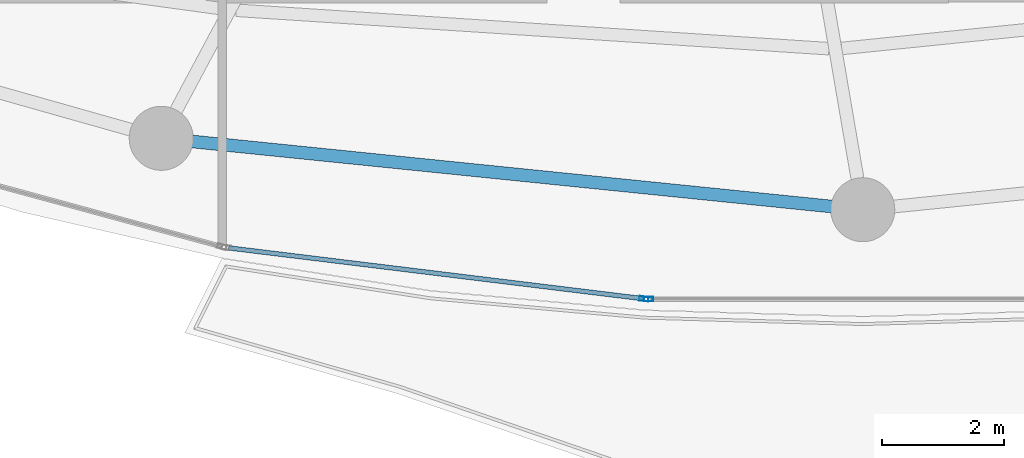
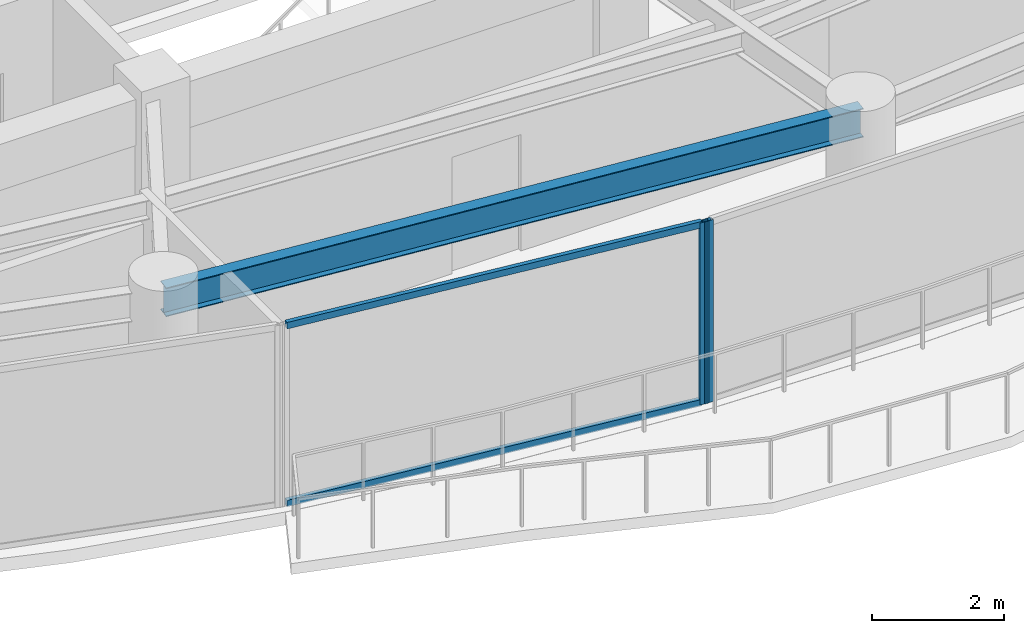
# One storey, part 6 of 30: 4 members, 1 beam, 2 elements without a shape of their own.
"""IFC4 building model written with IfcOpenShell, lengths in metres."""

import ifcopenshell
import ifcopenshell.guid

model = None  # the IFC model being written
_history = None  # IfcOwnerHistory: only IFC2X3 demands one
_inside = {}  # id of a spatial element -> (the spatial element, [elements in it])
_under = {}  # id of a project, library or spatial element -> (it, [spatial elements below it])
_declared = {}  # id of a project -> (the project, [libraries it declares])
_typed = {}  # id of a type object -> (the type object, [elements of that type])
_made_of = {}  # id of a material, layer set ... -> (it, [elements and type objects made of it])


def new_model(schema):
    """Start an empty IFC model of exactly this schema.

    Asked for "IFC4X3", IfcOpenShell would pick the latest addendum, in which some entities
    have other attributes; the version numbers below select the first issue.
    IFC2X3 requires an IfcOwnerHistory on every rooted entity: one is made here for all.
    """
    global model, _history
    if schema == "IFC4X3":
        model = ifcopenshell.file(schema_version=(4, 3, 0, 0))
    else:
        model = ifcopenshell.file(schema=schema)
    _inside.clear()
    _under.clear()
    _declared.clear()
    _typed.clear()
    _made_of.clear()
    _history = None
    if model.schema == "IFC2X3":
        org = make("IfcOrganization", Name="unknown")
        user = make(
            "IfcPersonAndOrganization",
            ThePerson=make("IfcPerson", FamilyName="unknown"),
            TheOrganization=org,
        )
        app = make(
            "IfcApplication",
            ApplicationDeveloper=org,
            Version="unknown",
            ApplicationFullName="unknown",
            ApplicationIdentifier="unknown",
        )
        _history = make(
            "IfcOwnerHistory",
            OwningUser=user,
            OwningApplication=app,
            ChangeAction="ADDED",
            CreationDate=0,
        )
    return model


def make(cls, **values):
    """One entity of the class cls with the attributes given. An attribute that is None is left unset."""
    return model.create_entity(
        cls, **{name: value for name, value in values.items() if value is not None}
    )


def rooted(cls, **values):
    """An entity with a GlobalId (a new one), such as an element, a storey or a relation."""
    return make(cls, GlobalId=ifcopenshell.guid.new(), OwnerHistory=_history, **values)


def si_unit(unit_type, name, prefix=None):
    """IfcSIUnit, for example si_unit("LENGTHUNIT", "METRE", prefix="MILLI")."""
    return make("IfcSIUnit", UnitType=unit_type, Prefix=prefix, Name=name)


def assignment(units):
    """IfcUnitAssignment: the units of a project."""
    return None if units is None else make("IfcUnitAssignment", Units=units)


def point(xyz):
    """IfcCartesianPoint."""
    return None if xyz is None else make("IfcCartesianPoint", Coordinates=xyz)


def direction(xyz):
    """IfcDirection."""
    return None if xyz is None else make("IfcDirection", DirectionRatios=xyz)


def frame(location, z_axis=None, x_axis=None):
    """IfcAxis2Placement3D, a coordinate frame: its origin and axes. An axis left out is left unset."""
    return make(
        "IfcAxis2Placement3D",
        Location=point(location),
        Axis=direction(z_axis),
        RefDirection=direction(x_axis),
    )


def frame_2d(location, x_axis=None):
    """IfcAxis2Placement2D, a coordinate frame in the plane: its origin and x axis."""
    return make(
        "IfcAxis2Placement2D", Location=point(location), RefDirection=direction(x_axis)
    )


def origin():
    """The frame at (0, 0, 0) with its axes left unset."""
    return frame((0.0, 0.0, 0.0))


def origin_2d():
    """The frame at (0, 0) in the plane with its x axis left unset."""
    return frame_2d((0.0, 0.0))


def place(relative_to, where):
    """IfcLocalPlacement: puts the frame where relative to a parent placement (None: the world)."""
    return make(
        "IfcLocalPlacement", PlacementRelTo=relative_to, RelativePlacement=where
    )


def context(
    kind, dimensions, precision=None, world=None, true_north=None, identifier=None
):
    """IfcGeometricRepresentationContext, for example the 3D "Model" context."""
    return make(
        "IfcGeometricRepresentationContext",
        ContextIdentifier=identifier,
        ContextType=kind,
        CoordinateSpaceDimension=dimensions,
        Precision=precision,
        WorldCoordinateSystem=world,
        TrueNorth=true_north,
    )


def subcontext(parent, identifier, kind, view, scale=None):
    """IfcGeometricRepresentationSubContext, for example "Body" below "Model"."""
    return make(
        "IfcGeometricRepresentationSubContext",
        ContextIdentifier=identifier,
        ContextType=kind,
        ParentContext=parent,
        TargetScale=scale,
        TargetView=view,
    )


def project(units=None, contexts=None):
    """IfcProject with its units and contexts."""
    return rooted(
        "IfcProject",
        Name="project",
        RepresentationContexts=contexts,
        UnitsInContext=assignment(units),
    )


def spatial(cls, under=None, at=None, **own):
    """A site, building, storey or space (cls), placed at a placement, below another one or the project."""
    s = rooted(cls, ObjectPlacement=at, **own)
    if under is not None:
        _under.setdefault(under.id(), (under, []))[1].append(s)
    return s


def profile(cls, at=None, kind="AREA", **sizes):
    """A parametric profile (cls). Its sizes go by their IFC names, for example OverallWidth=200.0."""
    return make(cls, ProfileType=kind, Position=at, **sizes)


def hollow_rectangle(**sizes):
    """IfcRectangleHollowProfileDef."""
    return profile("IfcRectangleHollowProfileDef", **sizes)


def i_section(**sizes):
    """IfcIShapeProfileDef."""
    return profile("IfcIShapeProfileDef", **sizes)


def extrude(swept, where, along, depth):
    """IfcExtrudedAreaSolid: the profile swept, set in the frame where, extruded along a direction by depth."""
    return make(
        "IfcExtrudedAreaSolid",
        SweptArea=swept,
        Position=where,
        ExtrudedDirection=direction(along),
        Depth=depth,
    )


def shape(context_of_items, identifier, shape_type, items):
    """IfcShapeRepresentation: the items that make up one representation, for example the "Body"."""
    return make(
        "IfcShapeRepresentation",
        ContextOfItems=context_of_items,
        RepresentationIdentifier=identifier,
        RepresentationType=shape_type,
        Items=items,
    )


def material(Name=None, Category=None):
    """IfcMaterial."""
    return make("IfcMaterial", Name=Name, Category=Category)


def layer(
    of_material, thickness, ventilated=None, Name=None, Category=None, Priority=None
):
    """IfcMaterialLayer: one layer of a wall or slab, of a material (None: an air gap)."""
    return make(
        "IfcMaterialLayer",
        Material=of_material,
        LayerThickness=thickness,
        IsVentilated=ventilated,
        Name=Name,
        Category=Category,
        Priority=Priority,
    )


def layer_set(layers, Name=None):
    """IfcMaterialLayerSet."""
    return make("IfcMaterialLayerSet", MaterialLayers=layers, LayerSetName=Name)


def material_profile(
    of_material, cross_section, Name=None, Category=None, Priority=None
):
    """IfcMaterialProfile: a cross section and its material."""
    return make(
        "IfcMaterialProfile",
        Name=Name,
        Material=of_material,
        Profile=cross_section,
        Priority=Priority,
        Category=Category,
    )


def profile_set(profiles, Name=None, composite=None):
    """IfcMaterialProfileSet."""
    return make(
        "IfcMaterialProfileSet",
        Name=Name,
        MaterialProfiles=profiles,
        CompositeProfile=composite,
    )


def made_of(thing, what):
    """Note that an element or type object is made of a material, layer set ...; save() writes the relation."""
    if what is not None:
        _made_of.setdefault(what.id(), (what, []))[1].append(thing)
    return thing


def type_object(cls, material=None, **own):
    """A type object (cls), such as IfcWallType, which elements share."""
    return made_of(rooted(cls, **own), material)


def element(
    cls,
    number,
    at=None,
    inside=None,
    cuts=None,
    type_object=None,
    material=None,
    context=None,
    identifier="Body",
    shape_type=None,
    held_by="IfcProductDefinitionShape",
    body=None,
    shapes=None,
    **own,
):
    """One element of the class cls, such as IfcWall. Its Tag is "e" and its number.

    at: its placement. inside: the storey or other place that contains it. cuts: it is an
    opening in that element (IfcRelVoidsElement). A single representation is given by context,
    identifier, shape_type and body (its items); several are given by shapes. held_by: the class
    of the entity that holds the representations. save() writes the other relations.
    """
    e = rooted(cls, Tag="e%d" % number, ObjectPlacement=at, **own)
    if body is not None:
        shapes = [shape(context, identifier, shape_type, body)]
    if shapes is not None:
        e.Representation = make(held_by, Representations=shapes)
    if inside is not None:
        _inside.setdefault(inside.id(), (inside, []))[1].append(e)
    if cuts is not None:
        rooted(
            "IfcRelVoidsElement", RelatingBuildingElement=cuts, RelatedOpeningElement=e
        )
    if type_object is not None:
        _typed.setdefault(type_object.id(), (type_object, []))[1].append(e)
    return made_of(e, material)


def aggregate(whole, parts):
    """IfcRelAggregates: a whole, such as a stair, and the parts it consists of."""
    return rooted("IfcRelAggregates", RelatingObject=whole, RelatedObjects=parts)


def save(model, path):
    """Write the relations noted so far, then the file.

    IfcRelAggregates (storeys below a building ...), IfcRelContainedInSpatialStructure (elements
    in a storey), IfcRelDefinesByType, IfcRelAssociatesMaterial and IfcRelDeclares: one each for
    every whole, place, type object, material and project.
    """
    for whole, parts in _under.values():
        aggregate(whole, parts)
    for where, things in _inside.values():
        rooted(
            "IfcRelContainedInSpatialStructure",
            RelatedElements=things,
            RelatingStructure=where,
        )
    for kind, things in _typed.values():
        rooted("IfcRelDefinesByType", RelatedObjects=things, RelatingType=kind)
    for what, things in _made_of.values():
        rooted("IfcRelAssociatesMaterial", RelatedObjects=things, RelatingMaterial=what)
    for by, libraries in _declared.values():
        rooted("IfcRelDeclares", RelatingContext=by, RelatedDefinitions=libraries)
    model.write(path)


model = new_model("IFC4")

# Units and contexts
model_context = context("Model", 3, precision=1e-05, world=origin(), true_north=direction((0.0, 1.0)))
body_context = subcontext(model_context, "Body", "Model", "MODEL_VIEW")
ifc_project = project(units=[si_unit("LENGTHUNIT", "METRE"), si_unit("AREAUNIT", "SQUARE_METRE"), si_unit("VOLUMEUNIT", "CUBIC_METRE"), si_unit("PLANEANGLEUNIT", "RADIAN"), si_unit("MASSUNIT", "GRAM", prefix="KILO")], contexts=[model_context])

# Site, building, storey
site_placement = place(None, origin())
site = spatial("IfcSite", under=ifc_project, at=site_placement, CompositionType="ELEMENT")
building_placement = place(site_placement, origin())
building = spatial("IfcBuilding", under=site, at=building_placement, Name="Kazevale Care Tower and Concert Hall", CompositionType="ELEMENT")
storey_placement = place(building_placement, frame((0.0, 0.0, 242.39990234375)))
storey = spatial("IfcBuildingStorey", under=building, at=storey_placement, Name="L64", CompositionType="ELEMENT", Elevation=242.39990234375)

# Curtain wall, member
ifc_material_1 = material(Name="Aluminium 6063-T6 and Low-E Glass", Category="aluminium")
ifc_layer = layer(ifc_material_1, 0.179931640625)
ifc_layer_set = layer_set([ifc_layer], Name="Aluminium 6063-T6 and Low-E Glass")
curtain_wall_type = type_object("IfcCurtainWallType", Name="Sheltered Concave Balcony Curtain Wall CW-5", PredefinedType="NOTDEFINED", material=ifc_layer_set)
curtain_wall_1_placement = place(storey_placement, origin())
curtain_wall_1 = element("IfcCurtainWall", 1, at=curtain_wall_1_placement, inside=storey, type_object=curtain_wall_type, Name="cw:L64:f06", PredefinedType="NOTDEFINED")
ifc_material_2 = material(Name="Aluminium 6063-T6", Category="aluminium")
ifc_material_profile_1 = material_profile(ifc_material_2, hollow_rectangle(XDim=0.074951171875, YDim=0.14990234375, WallThickness=0.00390625, at=origin_2d()), Name="ALU75x150x4")
ifc_profile_set_1 = profile_set([ifc_material_profile_1], Name="Aluminium 6063-T6")
member_type_1 = type_object("IfcMemberType", Name="CW-5 Mullion ALU75x150x4", PredefinedType="MULLION", material=ifc_profile_set_1)
member_1_placement = place(storey_placement, frame((41.487548828125, 16.284912109375, 0.0), z_axis=(0.0, 0.0, 1.0), x_axis=(0.0, -1.0, 0.0)))
member_1 = element("IfcMember", 2, at=member_1_placement, type_object=member_type_1, Name="CW-5 mullion 2", PredefinedType="MULLION", context=body_context, shape_type="SweptSolid", body=[
    extrude(hollow_rectangle(XDim=0.074951171875, YDim=0.14990234375, WallThickness=0.00390625, at=origin_2d()), origin(), (0.0, 0.0, 1.0), 3.360107421875),
])
aggregate(curtain_wall_1, [member_1])

# Curtain wall, members
curtain_wall_2_placement = place(storey_placement, origin())
curtain_wall_2 = element("IfcCurtainWall", 3, at=curtain_wall_2_placement, inside=storey, type_object=curtain_wall_type, Name="cw:L64:f07", PredefinedType="NOTDEFINED")
member_2_placement = place(storey_placement, frame((41.412841796875, 16.28955078125, 0.0), z_axis=(0.0, 0.0, 1.0), x_axis=(-0.121650797964, -0.992572961225, 0.0)))
member_2 = element("IfcMember", 4, at=member_2_placement, type_object=member_type_1, Name="CW-5 mullion 1", PredefinedType="MULLION", context=body_context, shape_type="SweptSolid", body=[
    extrude(hollow_rectangle(XDim=0.074951171875, YDim=0.14990234375, WallThickness=0.00390625, at=origin_2d()), origin(), (0.0, 0.0, 1.0), 3.360107421875),
])
ifc_material_profile_2 = material_profile(ifc_material_2, hollow_rectangle(XDim=0.074951171875, YDim=0.1201171875, WallThickness=0.00390625, at=origin_2d()), Name="ALU75x120x4")
ifc_profile_set_2 = profile_set([ifc_material_profile_2], Name="Aluminium 6063-T6")
member_type_2 = type_object("IfcMemberType", Name="CW-5 Transom ALU75x120x4", PredefinedType="USERDEFINED", material=ifc_profile_set_2)
member_3_placement = place(storey_placement, frame((41.37548828125, 16.294189453125, 0.03759765625), z_axis=(-0.992575633306, 0.121628993941, 0.0), x_axis=(-0.121628993941, -0.992575633306, 0.0)))
member_3 = element("IfcMember", 5, at=member_3_placement, type_object=member_type_2, Name="CW-5 transom 1.1", ObjectType="TRANSOM", PredefinedType="USERDEFINED", context=body_context, shape_type="SweptSolid", body=[
    extrude(hollow_rectangle(XDim=0.074951171875, YDim=0.1201171875, WallThickness=0.00390625, at=origin_2d()), origin(), (0.0, 0.0, 1.0), 6.820556640625),
])
member_4_placement = place(storey_placement, frame((41.37548828125, 16.294189453125, 3.322509765625), z_axis=(-0.992575633306, 0.121628993941, 0.0), x_axis=(-0.121628993941, -0.992575633306, 0.0)))
member_4 = element("IfcMember", 6, at=member_4_placement, type_object=member_type_2, Name="CW-5 transom 1.2", ObjectType="TRANSOM", PredefinedType="USERDEFINED", context=body_context, shape_type="SweptSolid", body=[
    extrude(hollow_rectangle(XDim=0.074951171875, YDim=0.1201171875, WallThickness=0.00390625, at=origin_2d()), origin(), (0.0, 0.0, 1.0), 6.820556640625),
])
aggregate(curtain_wall_2, [member_2, member_3, member_4])

# Beam
ifc_material_3 = material(Name="Steel ASTM A572 Gr 50", Category="steel")
ifc_material_profile_3 = material_profile(ifc_material_3, i_section(OverallWidth=0.208984375, OverallDepth=0.532958984375, WebThickness=0.01025390625, FlangeThickness=0.015625, at=origin_2d()), Name="W530x92")
ifc_profile_set_3 = profile_set([ifc_material_profile_3], Name="Steel ASTM A572 Gr 50")
beam_type = type_object("IfcBeamType", Name="Upper Ring Beam W530x92", PredefinedType="BEAM", material=ifc_profile_set_3)
beam_placement = place(storey_placement, frame((33.5, 18.919921875, 3.093505859375), z_axis=(0.994865089307, -0.101209950492, 0.0), x_axis=(0.101209950492, 0.994865089307, 0.0)))
element("IfcBeam", 7, at=beam_placement, inside=storey, type_object=beam_type, Name="beam:L64:ring:12", PredefinedType="BEAM", context=body_context, shape_type="SweptSolid", body=[
    extrude(i_section(OverallWidth=0.208984375, OverallDepth=0.532958984375, WebThickness=0.01025390625, FlangeThickness=0.015625, at=origin_2d()), origin(), (0.0, 0.0, 1.0), 11.559326171875),
])

save(model, "model.ifc")
